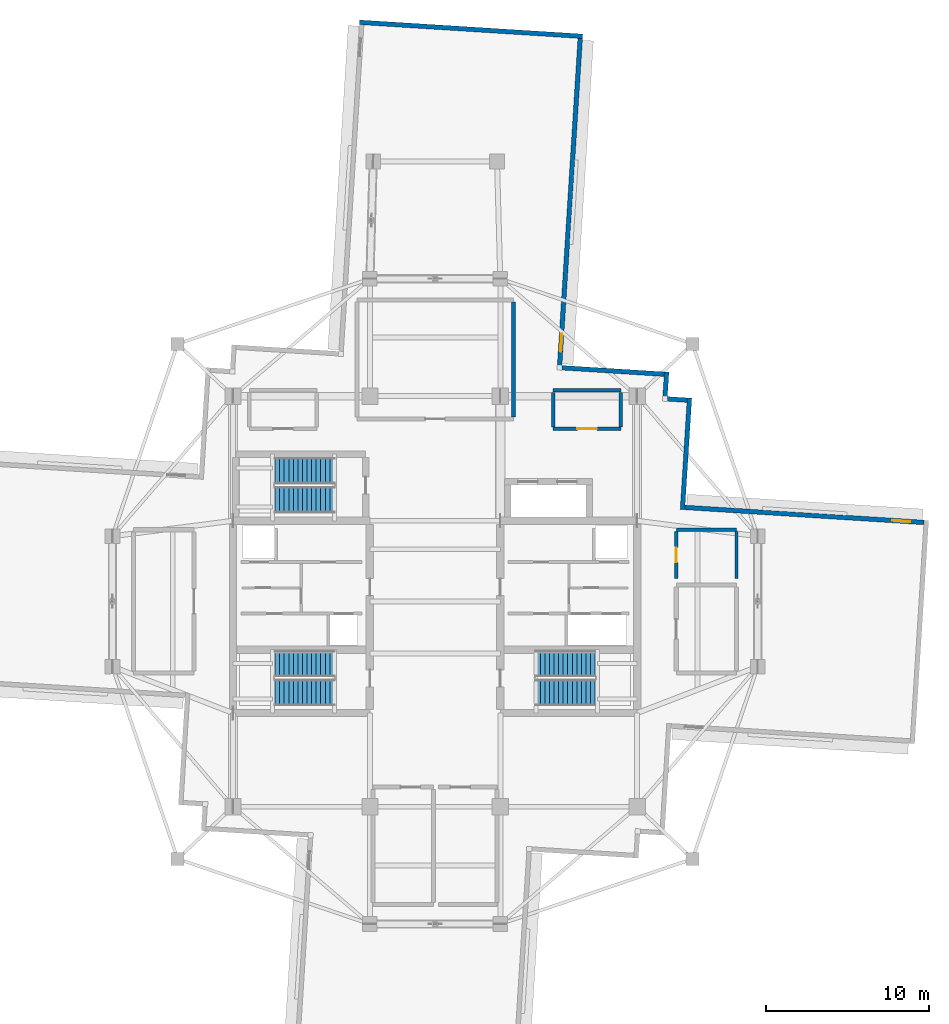
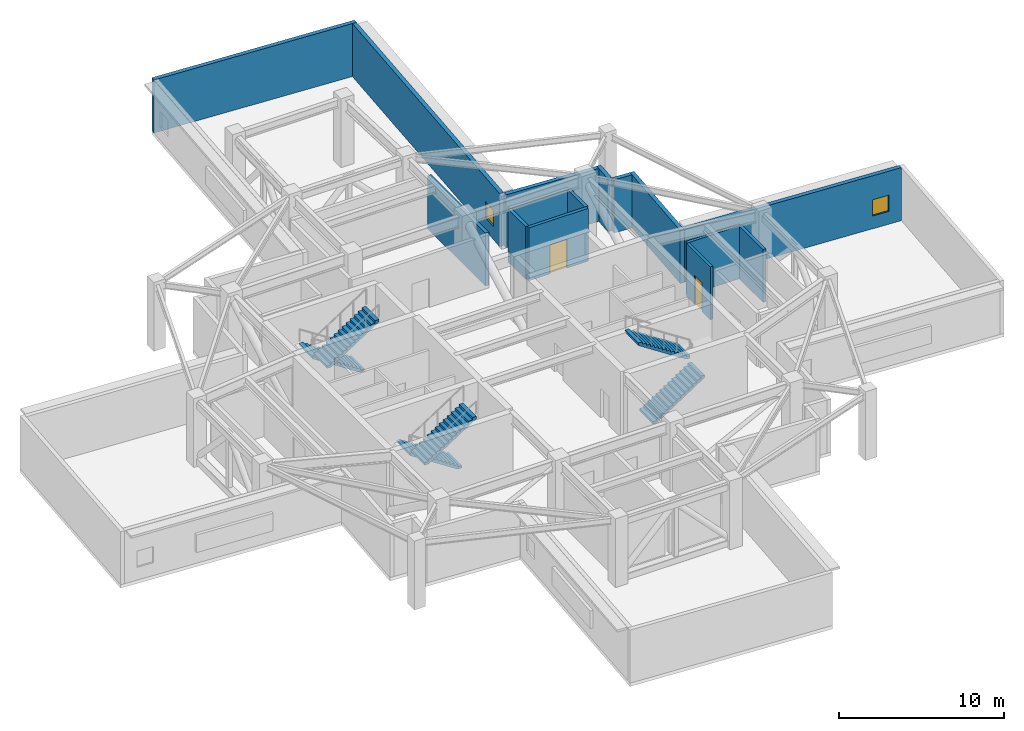
# One storey, part 10 of 14: 15 walls, 6 stair flights, 2 doors, 2 windows, 4 openings, 3 elements without a shape of their own.
"""IFC4 building model written with IfcOpenShell, lengths in metres."""

from ifc_helpers import new_model, si_unit, direction, frame, frame_2d, origin, place, context, subcontext, project, spatial, polyline, rectangle, outline, extrude, material, layer, layer_set, type_object, element, fill, aggregate, save


model = new_model("IFC4")

# Units and contexts
model_context = context("Model", 3, precision=1e-05, world=origin(), true_north=direction((0.0, 1.0)))
body_context = subcontext(model_context, "Body", "Model", "MODEL_VIEW")
ifc_project = project(units=[si_unit("LENGTHUNIT", "METRE"), si_unit("AREAUNIT", "SQUARE_METRE"), si_unit("VOLUMEUNIT", "CUBIC_METRE"), si_unit("PLANEANGLEUNIT", "RADIAN"), si_unit("MASSUNIT", "GRAM", prefix="KILO")], contexts=[model_context])

# Site, building, storey
site_placement = place(None, origin())
site = spatial("IfcSite", under=ifc_project, at=site_placement, CompositionType="ELEMENT")
building_placement = place(site_placement, origin())
building = spatial("IfcBuilding", under=site, at=building_placement, Name="Qingluan Cross Belvedere", CompositionType="ELEMENT")
storey_placement = place(building_placement, frame((0.0, 0.0, 240.300048828125)))
storey = spatial("IfcBuildingStorey", under=building, at=storey_placement, Name="L60", CompositionType="ELEMENT", Elevation=240.300048828125)

# Wall, opening, door
ifc_material_1 = material(Name="Gypsum plasterboard on steel stud acoustic partition", Category="steel")
ifc_layer_1 = layer(ifc_material_1, 0.159912109375, Name="CorridorPartition_160")
ifc_layer_set_1 = layer_set([ifc_layer_1], Name="Gypsum plasterboard on steel stud acoustic partition")
wall_type_1 = type_object("IfcWallType", Name="CorridorPartition_160", PredefinedType="PARTITIONING", material=ifc_layer_set_1)
wall_1_placement = place(storey_placement, frame((7.25, 10.60009765625, 0.0), z_axis=(0.0, 0.0, 1.0), x_axis=(1.0, 0.0, 0.0)))
wall_1 = element("IfcWall", 1, at=wall_1_placement, inside=storey, type_object=wall_type_1, Name="Partition L60:refuge_ne:S", PredefinedType="PARTITIONING", context=body_context, shape_type="SweptSolid", body=[
    extrude(rectangle(XDim=4.14990234375, YDim=0.219970703125, at=frame_2d((2.074951171875, 0.0))), origin(), (0.0, 0.0, 1.0), 3.919921875),
])
opening_1_placement = place(wall_1_placement, frame((1.47509765625, 0.0, 0.0)))
opening_1 = element("IfcOpeningElement", 2, at=opening_1_placement, cuts=wall_1, Name="Opening FD-A12", PredefinedType="OPENING", context=body_context, shape_type="SweptSolid", body=[
    extrude(rectangle(XDim=1.199951171875, YDim=2.14990234375, at=frame_2d((0.60009765625, 1.074951171875))), frame((0.0, 0.119873046875, 0.0), z_axis=(0.0, -1.0, 0.0), x_axis=(1.0, 0.0, 0.0)), (0.0, 0.0, 1.0), 0.239990234375),
])
ifc_material_2 = material(Name="Insulated steel Class A fire door", Category="steel")
door_type_1 = type_object("IfcDoorType", Name="RefugeCompartmentDoor_FDA", OperationType="NOTDEFINED", PredefinedType="DOOR", material=ifc_material_2)
door_1_placement = place(opening_1_placement, origin())
door_1 = element("IfcDoor", 3, at=door_1_placement, inside=storey, type_object=door_type_1, Name="High-zone fire refuge bay NE L60 door", OperationType="SINGLE_SWING_RIGHT", OverallHeight=2.14990234375, OverallWidth=1.199951171875, PredefinedType="DOOR", context=body_context, shape_type="SweptSolid", body=[
    extrude(rectangle(XDim=1.199951171875, YDim=2.14990234375, at=frame_2d((0.60009765625, 1.074951171875))), frame((0.0, 0.02490234375, 0.0), z_axis=(0.0, -1.0, 0.0), x_axis=(1.0, 0.0, 0.0)), (0.0, 0.0, 1.0), 0.050048828125),
])
fill(opening_1, door_1)

# Walls
wall_2_placement = place(storey_placement, frame((7.25, 12.949951171875, 0.0), z_axis=(0.0, 0.0, 1.0), x_axis=(1.0, 0.0, 0.0)))
element("IfcWall", 4, at=wall_2_placement, inside=storey, type_object=wall_type_1, Name="Partition L60:refuge_ne:N", PredefinedType="PARTITIONING", context=body_context, shape_type="SweptSolid", body=[
    extrude(rectangle(XDim=4.14990234375, YDim=0.219970703125, at=frame_2d((2.074951171875, 0.0))), origin(), (0.0, 0.0, 1.0), 3.919921875),
])
for number, where, z_axis, x_axis, name in (
    (5, (7.25, 10.715087890625, 0.0), (0.0, 0.0, 1.0), (0.0, 1.0, 0.0), "Partition L60:refuge_ne:W"),
    (6, (11.39990234375, 10.715087890625, 0.0), (0.0, 0.0, 1.0), (0.0, 1.0, 0.0), "Partition L60:refuge_ne:E"),
):
    element("IfcWall", number, at=place(storey_placement, frame(where, z_axis=z_axis, x_axis=x_axis)), inside=storey, type_object=wall_type_1, Name=name, PredefinedType="PARTITIONING", context=body_context, shape_type="SweptSolid", body=[
        extrude(rectangle(XDim=2.119873046875, YDim=0.219970703125, at=frame_2d((1.06005859375, 0.0))), origin(), (0.0, 0.0, 1.0), 3.919921875),
    ])
wall_3_placement = place(storey_placement, frame((14.800048828125, 4.39990234375, 0.0), z_axis=(0.0, 0.0, 1.0), x_axis=(1.0, 0.0, 0.0)))
element("IfcWall", 7, at=wall_3_placement, inside=storey, type_object=wall_type_1, Name="Partition L60:bms_plant:N", PredefinedType="PARTITIONING", context=body_context, shape_type="SweptSolid", body=[
    extrude(rectangle(XDim=3.699951171875, YDim=0.199951171875, at=frame_2d((1.85009765625, 0.0))), origin(), (0.0, 0.0, 1.0), 3.919921875),
])

# Wall, opening, door
wall_4_placement = place(storey_placement, frame((14.800048828125, 1.405029296875, 0.0), z_axis=(0.0, 0.0, 1.0), x_axis=(0.0, 1.0, 0.0)))
wall_4 = element("IfcWall", 8, at=wall_4_placement, inside=storey, type_object=wall_type_1, Name="Partition L60:bms_plant:W", PredefinedType="PARTITIONING", context=body_context, shape_type="SweptSolid", body=[
    extrude(rectangle(XDim=2.889892578125, YDim=0.199951171875, at=frame_2d((1.44482421875, 0.0))), origin(), (0.0, 0.0, 1.0), 3.919921875),
])
opening_2_placement = place(wall_4_placement, frame((0.9951171875, 0.0, 0.0)))
opening_2 = element("IfcOpeningElement", 9, at=opening_2_placement, cuts=wall_4, Name="Opening FD-B09", PredefinedType="OPENING", context=body_context, shape_type="SweptSolid", body=[
    extrude(rectangle(XDim=0.89990234375, YDim=2.14990234375, at=frame_2d((0.449951171875, 1.074951171875))), frame((0.0, 0.10986328125, 0.0), z_axis=(0.0, -1.0, 0.0), x_axis=(1.0, 0.0, 0.0)), (0.0, 0.0, 1.0), 0.219970703125),
])
ifc_material_3 = material(Name="Steel Class B control room fire door", Category="steel")
door_type_2 = type_object("IfcDoorType", Name="ControlServiceFireDoor_FDB", OperationType="NOTDEFINED", PredefinedType="DOOR", material=ifc_material_3)
door_2_placement = place(opening_2_placement, origin())
door_2 = element("IfcDoor", 10, at=door_2_placement, inside=storey, type_object=door_type_2, Name="High-zone emergency power control room L60 door", OperationType="SINGLE_SWING_RIGHT", OverallHeight=2.14990234375, OverallWidth=0.89990234375, PredefinedType="DOOR", context=body_context, shape_type="SweptSolid", body=[
    extrude(rectangle(XDim=0.89990234375, YDim=2.14990234375, at=frame_2d((0.449951171875, 1.074951171875))), frame((0.0, 0.02490234375, 0.0), z_axis=(0.0, -1.0, 0.0), x_axis=(1.0, 0.0, 0.0)), (0.0, 0.0, 1.0), 0.050048828125),
])
fill(opening_2, door_2)

# Walls
wall_5_placement = place(storey_placement, frame((18.5, 1.405029296875, 0.0), z_axis=(0.0, 0.0, 1.0), x_axis=(0.0, 1.0, 0.0)))
element("IfcWall", 11, at=wall_5_placement, inside=storey, type_object=wall_type_1, Name="Partition L60:bms_plant:E", PredefinedType="PARTITIONING", context=body_context, shape_type="SweptSolid", body=[
    extrude(rectangle(XDim=2.889892578125, YDim=0.199951171875, at=frame_2d((1.44482421875, 0.0))), origin(), (0.0, 0.0, 1.0), 3.919921875),
])
ifc_material_4 = material(Name="Concrete C40", Category="concrete")
ifc_layer_2 = layer(ifc_material_4, 0.300048828125, Name="FireCompartmentWall_300")
ifc_layer_set_2 = layer_set([ifc_layer_2], Name="Concrete C40")
wall_type_2 = type_object("IfcWallType", Name="FireCompartmentWall_300", PredefinedType="SOLIDWALL", material=ifc_layer_set_2)
wall_6_placement = place(storey_placement, frame((4.800048828125, 11.330078125, 0.0), z_axis=(0.0, 0.0, 1.0), x_axis=(0.0, 1.0, 0.0)))
element("IfcWall", 12, at=wall_6_placement, inside=storey, type_object=wall_type_2, Name="Partition L60:refuge_n:E", PredefinedType="SOLIDWALL", context=body_context, shape_type="SweptSolid", body=[
    extrude(rectangle(XDim=7.0400390625, YDim=0.25, at=frame_2d((3.52001953125, 0.0))), origin(), (0.0, 0.0, 1.0), 3.919921875),
])

# Wall, opening, window
ifc_material_5 = material(Name="Precast concrete C45", Category="concrete")
ifc_layer_3 = layer(ifc_material_5, 0.280029296875, Name="PrecastFacadeWall_280")
ifc_layer_set_3 = layer_set([ifc_layer_3], Name="Precast concrete C45")
wall_type_3 = type_object("IfcWallType", Name="PrecastFacadeWall_280", PredefinedType="STANDARD", material=ifc_layer_set_3)
wall_7_placement = place(storey_placement, frame((30.00341796875, 4.845703125, 0.0), z_axis=(0.0, 0.0, 1.0), x_axis=(-0.998027423805, 0.062779465852, 0.0)))
wall_7 = element("IfcWall", 13, at=wall_7_placement, inside=storey, type_object=wall_type_3, Name="Facade wall L60-EB", PredefinedType="STANDARD", context=body_context, shape_type="SweptSolid", body=[
    extrude(rectangle(XDim=14.699951171875, YDim=0.280029296875, at=frame_2d((7.35009765625, 0.0))), origin(), (0.0, 0.0, 1.0), 3.929931640625),
])
opening_3_placement = place(wall_7_placement, frame((0.85009765625, 0.0, 0.949951171875)))
opening_3 = element("IfcOpeningElement", 14, at=opening_3_placement, cuts=wall_7, Name="Opening W-07", PredefinedType="OPENING", context=body_context, shape_type="SweptSolid", body=[
    extrude(rectangle(XDim=1.10009765625, YDim=1.199951171875, at=frame_2d((0.550048828125, 0.60009765625))), frame((0.0, 0.14990234375, 0.0), z_axis=(0.0, -1.0, 0.0), x_axis=(1.0, 0.0, 0.0)), (0.0, 0.0, 1.0), 0.300048828125),
])
ifc_material_6 = material(Name="Thermally broken triple Low-E glass in aluminium frame", Category="aluminium")
window_type = type_object("IfcWindowType", Name="RefugeSmokeWin_1100x1200", PartitioningType="SINGLE_PANEL", PredefinedType="WINDOW", material=ifc_material_6)
window_1_placement = place(opening_3_placement, origin())
window_1 = element("IfcWindow", 15, at=window_1_placement, inside=storey, type_object=window_type, Name="Refuge operable smoke window L60-EB", OverallHeight=1.199951171875, OverallWidth=1.10009765625, PartitioningType="SINGLE_PANEL", PredefinedType="WINDOW", context=body_context, shape_type="SweptSolid", body=[
    extrude(rectangle(XDim=1.10009765625, YDim=1.199951171875, at=frame_2d((0.550048828125, 0.60009765625))), frame((0.0, 0.030029296875, 0.0), z_axis=(0.0, -1.0, 0.0), x_axis=(1.0, 0.0, 0.0)), (0.0, 0.0, 1.0), 0.06005859375),
])
fill(opening_3, window_1)

wall_8_placement = place(storey_placement, frame((7.644775390625, 14.488525390625, 0.0), z_axis=(0.0, 0.0, 1.0), x_axis=(0.06279645424, 0.99802635503, 0.0)))
wall_8 = element("IfcWall", 16, at=wall_8_placement, inside=storey, type_object=wall_type_3, Name="Facade wall L60-NA", PredefinedType="STANDARD", context=body_context, shape_type="SweptSolid", body=[
    extrude(rectangle(XDim=20.099853515625, YDim=0.280029296875, at=frame_2d((10.0498046875, 0.0))), origin(), (0.0, 0.0, 1.0), 3.929931640625),
])
opening_4_placement = place(wall_8_placement, frame((0.85009765625, 0.0, 0.949951171875)))
opening_4 = element("IfcOpeningElement", 17, at=opening_4_placement, cuts=wall_8, Name="Opening W-07", PredefinedType="OPENING", context=body_context, shape_type="SweptSolid", body=[
    extrude(rectangle(XDim=1.10009765625, YDim=1.199951171875, at=frame_2d((0.550048828125, 0.60009765625))), frame((0.0, 0.14990234375, 0.0), z_axis=(0.0, -1.0, 0.0), x_axis=(1.0, 0.0, 0.0)), (0.0, 0.0, 1.0), 0.300048828125),
])
window_2_placement = place(opening_4_placement, origin())
window_2 = element("IfcWindow", 18, at=window_2_placement, inside=storey, type_object=window_type, Name="Refuge operable smoke window L60-NA", OverallHeight=1.199951171875, OverallWidth=1.10009765625, PartitioningType="SINGLE_PANEL", PredefinedType="WINDOW", context=body_context, shape_type="SweptSolid", body=[
    extrude(rectangle(XDim=1.10009765625, YDim=1.199951171875, at=frame_2d((0.550048828125, 0.60009765625))), frame((0.0, 0.030029296875, 0.0), z_axis=(0.0, -1.0, 0.0), x_axis=(1.0, 0.0, 0.0)), (0.0, 0.0, 1.0), 0.06005859375),
])
fill(opening_4, window_2)

# Walls
wall_9_placement = place(storey_placement, frame((9.055419921875, 34.6796875, 0.0), z_axis=(0.0, 0.0, 1.0), x_axis=(-0.998026318072, 0.062797041623, 0.0)))
element("IfcWall", 19, at=wall_9_placement, inside=storey, type_object=wall_type_3, Name="Arm tip precast facade wall L60-N", PredefinedType="STANDARD", context=body_context, shape_type="SweptSolid", body=[
    extrude(rectangle(XDim=13.719970703125, YDim=0.280029296875, at=frame_2d((6.85986328125, 0.0))), origin(), (0.0, 0.0, 1.0), 3.929931640625),
])
wall_10_placement = place(storey_placement, frame((15.18408203125, 5.6376953125, 0.0), z_axis=(0.0, 0.0, 1.0), x_axis=(0.062779317195, 0.998027433156, 0.0)))
element("IfcWall", 20, at=wall_10_placement, inside=storey, type_object=wall_type_3, Name="Corner wall L60-NE1", PredefinedType="STANDARD", context=body_context, shape_type="SweptSolid", body=[
    extrude(rectangle(XDim=6.85986328125, YDim=0.280029296875, at=frame_2d((3.429931640625, 0.0))), origin(), (0.0, 0.0, 1.0), 3.929931640625),
])
wall_11_placement = place(storey_placement, frame((15.46630859375, 12.353271484375, 0.0), z_axis=(0.0, 0.0, 1.0), x_axis=(-0.998024450254, 0.062826719603, 0.0)))
element("IfcWall", 21, at=wall_11_placement, inside=storey, type_object=wall_type_3, Name="Corner wall L60-NE2", PredefinedType="STANDARD", context=body_context, shape_type="SweptSolid", body=[
    extrude(rectangle(XDim=1.22021484375, YDim=0.280029296875, at=frame_2d((0.610107421875, 0.0))), origin(), (0.0, 0.0, 1.0), 3.929931640625),
])
wall_12_placement = place(storey_placement, frame((14.11767578125, 12.578369140625, 0.0), z_axis=(0.0, 0.0, 1.0), x_axis=(0.062824119533, 0.998024613927, 0.0)))
element("IfcWall", 22, at=wall_12_placement, inside=storey, type_object=wall_type_3, Name="Corner wall L60-NE3", PredefinedType="STANDARD", context=body_context, shape_type="SweptSolid", body=[
    extrude(rectangle(XDim=1.5, YDim=0.280029296875, at=frame_2d((0.75, 0.0))), origin(), (0.0, 0.0, 1.0), 3.929931640625),
])
wall_13_placement = place(storey_placement, frame((14.063232421875, 13.944580078125, 0.0), z_axis=(0.0, 0.0, 1.0), x_axis=(-0.998027314704, 0.062781200242, 0.0)))
element("IfcWall", 23, at=wall_13_placement, inside=storey, type_object=wall_type_3, Name="Corner wall L60-NE4", PredefinedType="STANDARD", context=body_context, shape_type="SweptSolid", body=[
    extrude(rectangle(XDim=6.2998046875, YDim=0.280029296875, at=frame_2d((3.14990234375, 0.0))), origin(), (0.0, 0.0, 1.0), 3.929931640625),
])

# Stair, stair flights
ifc_material_7 = material(Name="Concrete C40", Category="concrete")
stair_type = type_object("IfcStairType", Name="CoreDoglegStair_1620", PredefinedType="HALF_TURN_STAIR", material=ifc_material_7)
stair_1_placement = place(storey_placement, origin())
stair_1 = element("IfcStair", 24, at=stair_1_placement, inside=storey, type_object=stair_type, Name="L60 ST1", PredefinedType="HALF_TURN_STAIR")
ifc_material_8 = material(Name="Concrete C40", Category="concrete")
ifc_layer_4 = layer(ifc_material_8, 0.179931640625, Name="StairFlight_RC180")
ifc_layer_set_4 = layer_set([ifc_layer_4], Name="Concrete C40")
stair_flight_type = type_object("IfcStairFlightType", Name="StairFlight_RC180", PredefinedType="STRAIGHT", material=ifc_layer_set_4)
stair_flight_1_placement = place(storey_placement, frame((-6.179931640625, -3.81005859375, 0.0), z_axis=(0.0, 0.0, 1.0), x_axis=(-1.0, 0.0, 0.0)))
stair_flight_1 = element("IfcStairFlight", 25, at=stair_flight_1_placement, type_object=stair_flight_type, Name="ST1 flight 1", NumberOfRisers=14, NumberOfTreads=13, PredefinedType="STRAIGHT", RiserHeight=0.182142857, TreadLength=0.28, context=body_context, shape_type="SweptSolid", body=[
    extrude(outline(polyline([(0.0, 0.0), (0.0, 0.18212890625), (0.280029296875, 0.18212890625), (0.280029296875, 0.3642578125), (0.56005859375, 0.3642578125), (0.56005859375, 0.54638671875), (0.840087890625, 0.54638671875), (0.840087890625, 0.728515625), (1.1201171875, 0.728515625), (1.1201171875, 0.91064453125), (1.39990234375, 0.91064453125), (1.39990234375, 1.0927734375), (1.679931640625, 1.0927734375), (1.679931640625, 1.27490234375), (1.9599609375, 1.27490234375), (1.9599609375, 1.45703125), (2.239990234375, 1.45703125), (2.239990234375, 1.639404296875), (2.52001953125, 1.639404296875), (2.52001953125, 1.821533203125), (2.800048828125, 1.821533203125), (2.800048828125, 2.003662109375), (3.080078125, 2.003662109375), (3.080078125, 2.185791015625), (3.360107421875, 2.185791015625), (3.360107421875, 2.367919921875), (3.639892578125, 2.367919921875), (3.639892578125, 2.550048828125), (3.639892578125, 2.18896484375), (0.27490234375, 0.0), (0.0, 0.0)])), frame((0.0, 0.81005859375, 0.0), z_axis=(0.0, -1.0, 0.0), x_axis=(1.0, 0.0, 0.0)), (0.0, 0.0, 1.0), 1.6201171875),
])
stair_flight_2_placement = place(storey_placement, frame((-9.820068359375, -5.590087890625, 2.550048828125), z_axis=(0.0, 0.0, 1.0), x_axis=(1.0, 0.0, 0.0)))
stair_flight_2 = element("IfcStairFlight", 26, at=stair_flight_2_placement, type_object=stair_flight_type, Name="ST1 flight 2", NumberOfRisers=14, NumberOfTreads=13, PredefinedType="STRAIGHT", RiserHeight=0.182142857, TreadLength=0.28, context=body_context, shape_type="SweptSolid", body=[
    extrude(outline(polyline([(0.0, 0.0), (0.0, 0.18212890625), (0.280029296875, 0.18212890625), (0.280029296875, 0.3642578125), (0.56005859375, 0.3642578125), (0.56005859375, 0.54638671875), (0.840087890625, 0.54638671875), (0.840087890625, 0.728515625), (1.1201171875, 0.728515625), (1.1201171875, 0.91064453125), (1.39990234375, 0.91064453125), (1.39990234375, 1.0927734375), (1.679931640625, 1.0927734375), (1.679931640625, 1.27490234375), (1.9599609375, 1.27490234375), (1.9599609375, 1.45703125), (2.239990234375, 1.45703125), (2.239990234375, 1.639404296875), (2.52001953125, 1.639404296875), (2.52001953125, 1.821533203125), (2.800048828125, 1.821533203125), (2.800048828125, 2.003662109375), (3.080078125, 2.003662109375), (3.080078125, 2.185791015625), (3.360107421875, 2.185791015625), (3.360107421875, 2.367919921875), (3.639892578125, 2.367919921875), (3.639892578125, 2.550048828125), (3.639892578125, 2.18896484375), (0.27490234375, 0.0), (0.0, 0.0)])), frame((0.0, 0.81005859375, 0.0), z_axis=(0.0, -1.0, 0.0), x_axis=(1.0, 0.0, 0.0)), (0.0, 0.0, 1.0), 1.6201171875),
])
aggregate(stair_1, [stair_flight_1, stair_flight_2])

stair_2_placement = place(storey_placement, origin())
stair_2 = element("IfcStair", 27, at=stair_2_placement, inside=storey, type_object=stair_type, Name="L60 ST2", PredefinedType="HALF_TURN_STAIR")
stair_flight_3_placement = place(storey_placement, frame((6.179931640625, -5.590087890625, 0.0), z_axis=(0.0, 0.0, 1.0), x_axis=(1.0, 0.0, 0.0)))
stair_flight_3 = element("IfcStairFlight", 28, at=stair_flight_3_placement, type_object=stair_flight_type, Name="ST2 flight 1", NumberOfRisers=14, NumberOfTreads=13, PredefinedType="STRAIGHT", RiserHeight=0.182142857, TreadLength=0.28, context=body_context, shape_type="SweptSolid", body=[
    extrude(outline(polyline([(0.0, 0.0), (0.0, 0.18212890625), (0.280029296875, 0.18212890625), (0.280029296875, 0.3642578125), (0.56005859375, 0.3642578125), (0.56005859375, 0.54638671875), (0.840087890625, 0.54638671875), (0.840087890625, 0.728515625), (1.1201171875, 0.728515625), (1.1201171875, 0.91064453125), (1.39990234375, 0.91064453125), (1.39990234375, 1.0927734375), (1.679931640625, 1.0927734375), (1.679931640625, 1.27490234375), (1.9599609375, 1.27490234375), (1.9599609375, 1.45703125), (2.239990234375, 1.45703125), (2.239990234375, 1.639404296875), (2.52001953125, 1.639404296875), (2.52001953125, 1.821533203125), (2.800048828125, 1.821533203125), (2.800048828125, 2.003662109375), (3.080078125, 2.003662109375), (3.080078125, 2.185791015625), (3.360107421875, 2.185791015625), (3.360107421875, 2.367919921875), (3.639892578125, 2.367919921875), (3.639892578125, 2.550048828125), (3.639892578125, 2.18896484375), (0.27490234375, 0.0), (0.0, 0.0)])), frame((0.0, 0.81005859375, 0.0), z_axis=(0.0, -1.0, 0.0), x_axis=(1.0, 0.0, 0.0)), (0.0, 0.0, 1.0), 1.6201171875),
])
stair_flight_4_placement = place(storey_placement, frame((9.820068359375, -3.81005859375, 2.550048828125), z_axis=(0.0, 0.0, 1.0), x_axis=(-1.0, 0.0, 0.0)))
stair_flight_4 = element("IfcStairFlight", 29, at=stair_flight_4_placement, type_object=stair_flight_type, Name="ST2 flight 2", NumberOfRisers=14, NumberOfTreads=13, PredefinedType="STRAIGHT", RiserHeight=0.182142857, TreadLength=0.28, context=body_context, shape_type="SweptSolid", body=[
    extrude(outline(polyline([(0.0, 0.0), (0.0, 0.18212890625), (0.280029296875, 0.18212890625), (0.280029296875, 0.3642578125), (0.56005859375, 0.3642578125), (0.56005859375, 0.54638671875), (0.840087890625, 0.54638671875), (0.840087890625, 0.728515625), (1.1201171875, 0.728515625), (1.1201171875, 0.91064453125), (1.39990234375, 0.91064453125), (1.39990234375, 1.0927734375), (1.679931640625, 1.0927734375), (1.679931640625, 1.27490234375), (1.9599609375, 1.27490234375), (1.9599609375, 1.45703125), (2.239990234375, 1.45703125), (2.239990234375, 1.639404296875), (2.52001953125, 1.639404296875), (2.52001953125, 1.821533203125), (2.800048828125, 1.821533203125), (2.800048828125, 2.003662109375), (3.080078125, 2.003662109375), (3.080078125, 2.185791015625), (3.360107421875, 2.185791015625), (3.360107421875, 2.367919921875), (3.639892578125, 2.367919921875), (3.639892578125, 2.550048828125), (3.639892578125, 2.18896484375), (0.27490234375, 0.0), (0.0, 0.0)])), frame((0.0, 0.81005859375, 0.0), z_axis=(0.0, -1.0, 0.0), x_axis=(1.0, 0.0, 0.0)), (0.0, 0.0, 1.0), 1.6201171875),
])
aggregate(stair_2, [stair_flight_3, stair_flight_4])

stair_3_placement = place(storey_placement, origin())
stair_3 = element("IfcStair", 30, at=stair_3_placement, inside=storey, type_object=stair_type, Name="L60 ST3", PredefinedType="HALF_TURN_STAIR")
stair_flight_5_placement = place(storey_placement, frame((-6.179931640625, 8.010009765625, 0.0), z_axis=(0.0, 0.0, 1.0), x_axis=(-1.0, 0.0, 0.0)))
stair_flight_5 = element("IfcStairFlight", 31, at=stair_flight_5_placement, type_object=stair_flight_type, Name="ST3 flight 1", NumberOfRisers=14, NumberOfTreads=13, PredefinedType="STRAIGHT", RiserHeight=0.182142857, TreadLength=0.28, context=body_context, shape_type="SweptSolid", body=[
    extrude(outline(polyline([(0.0, 0.0), (0.0, 0.18212890625), (0.280029296875, 0.18212890625), (0.280029296875, 0.3642578125), (0.56005859375, 0.3642578125), (0.56005859375, 0.54638671875), (0.840087890625, 0.54638671875), (0.840087890625, 0.728515625), (1.1201171875, 0.728515625), (1.1201171875, 0.91064453125), (1.39990234375, 0.91064453125), (1.39990234375, 1.0927734375), (1.679931640625, 1.0927734375), (1.679931640625, 1.27490234375), (1.9599609375, 1.27490234375), (1.9599609375, 1.45703125), (2.239990234375, 1.45703125), (2.239990234375, 1.639404296875), (2.52001953125, 1.639404296875), (2.52001953125, 1.821533203125), (2.800048828125, 1.821533203125), (2.800048828125, 2.003662109375), (3.080078125, 2.003662109375), (3.080078125, 2.185791015625), (3.360107421875, 2.185791015625), (3.360107421875, 2.367919921875), (3.639892578125, 2.367919921875), (3.639892578125, 2.550048828125), (3.639892578125, 2.18896484375), (0.27490234375, 0.0), (0.0, 0.0)])), frame((0.0, 0.81005859375, 0.0), z_axis=(0.0, -1.0, 0.0), x_axis=(1.0, 0.0, 0.0)), (0.0, 0.0, 1.0), 1.6201171875),
])
stair_flight_6_placement = place(storey_placement, frame((-9.820068359375, 6.22998046875, 2.550048828125), z_axis=(0.0, 0.0, 1.0), x_axis=(1.0, 0.0, 0.0)))
stair_flight_6 = element("IfcStairFlight", 32, at=stair_flight_6_placement, type_object=stair_flight_type, Name="ST3 flight 2", NumberOfRisers=14, NumberOfTreads=13, PredefinedType="STRAIGHT", RiserHeight=0.182142857, TreadLength=0.28, context=body_context, shape_type="SweptSolid", body=[
    extrude(outline(polyline([(0.0, 0.0), (0.0, 0.18212890625), (0.280029296875, 0.18212890625), (0.280029296875, 0.3642578125), (0.56005859375, 0.3642578125), (0.56005859375, 0.54638671875), (0.840087890625, 0.54638671875), (0.840087890625, 0.728515625), (1.1201171875, 0.728515625), (1.1201171875, 0.91064453125), (1.39990234375, 0.91064453125), (1.39990234375, 1.0927734375), (1.679931640625, 1.0927734375), (1.679931640625, 1.27490234375), (1.9599609375, 1.27490234375), (1.9599609375, 1.45703125), (2.239990234375, 1.45703125), (2.239990234375, 1.639404296875), (2.52001953125, 1.639404296875), (2.52001953125, 1.821533203125), (2.800048828125, 1.821533203125), (2.800048828125, 2.003662109375), (3.080078125, 2.003662109375), (3.080078125, 2.185791015625), (3.360107421875, 2.185791015625), (3.360107421875, 2.367919921875), (3.639892578125, 2.367919921875), (3.639892578125, 2.550048828125), (3.639892578125, 2.18896484375), (0.27490234375, 0.0), (0.0, 0.0)])), frame((0.0, 0.81005859375, 0.0), z_axis=(0.0, -1.0, 0.0), x_axis=(1.0, 0.0, 0.0)), (0.0, 0.0, 1.0), 1.6201171875),
])
aggregate(stair_3, [stair_flight_5, stair_flight_6])

save(model, "model.ifc")
